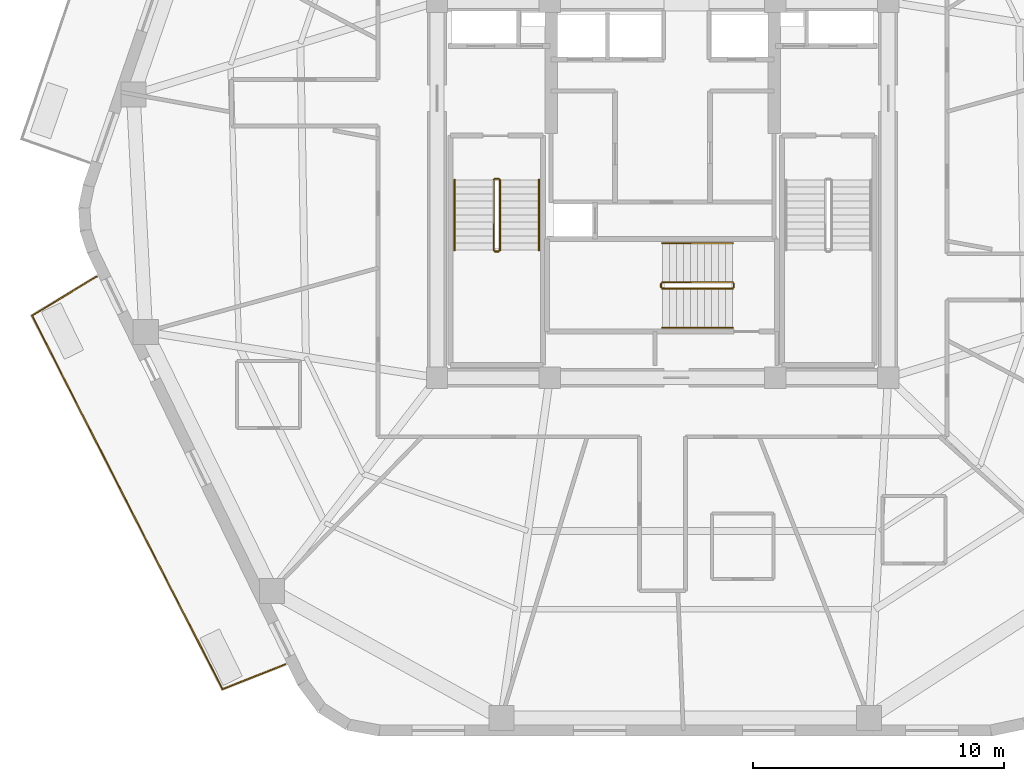
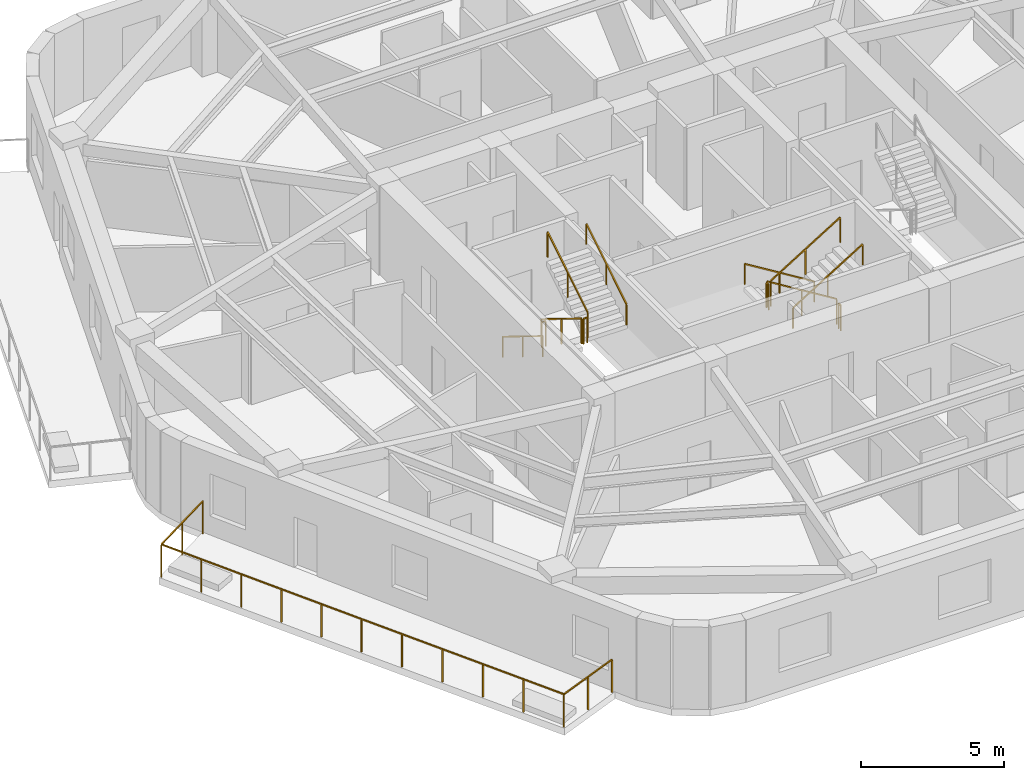
# One storey, part 7 of 9: 13 railings.
"""IFC4 building model written with IfcOpenShell, lengths in metres."""

from ifc_helpers import new_model, si_unit, direction, frame, origin, origin_2d, place, context, subcontext, project, spatial, rectangle, extrude, material, layer, layer_set, type_object, element, save


model = new_model("IFC4")

# Units and contexts
model_context = context("Model", 3, precision=1e-05, world=origin(), true_north=direction((0.0, 1.0)))
body_context = subcontext(model_context, "Body", "Model", "MODEL_VIEW")
ifc_project = project(units=[si_unit("LENGTHUNIT", "METRE"), si_unit("AREAUNIT", "SQUARE_METRE"), si_unit("VOLUMEUNIT", "CUBIC_METRE"), si_unit("PLANEANGLEUNIT", "RADIAN"), si_unit("MASSUNIT", "GRAM", prefix="KILO")], contexts=[model_context])

# Site, building, storey
site_placement = place(None, origin())
site = spatial("IfcSite", under=ifc_project, at=site_placement, CompositionType="ELEMENT")
building_placement = place(site_placement, origin())
building = spatial("IfcBuilding", under=site, at=building_placement, Name="Kilnhurst Terrace Hotel", CompositionType="ELEMENT")
storey_placement = place(building_placement, frame((0.0, 0.0, 240.699951171875)))
storey = spatial("IfcBuildingStorey", under=building, at=storey_placement, Name="L60", CompositionType="ELEMENT", Elevation=240.699951171875)

# Railings
ifc_material_1 = material(Name="Laminated SentryGlas and Stainless Steel AISI 316L Balustrade", Category="steel")
ifc_layer_1 = layer(ifc_material_1, 0.070068359375, Name="Laminated SentryGlas and Stainless Steel AISI 316L Balustrade")
ifc_layer_set_1 = layer_set([ifc_layer_1], Name="Laminated SentryGlas and Stainless Steel AISI 316L Balustrade")
railing_type_1 = type_object("IfcRailingType", Name="RLG-BAL-1420", PredefinedType="BALUSTRADE", material=ifc_layer_set_1)
railing_1_placement = place(storey_placement, frame((-15.0546875, -18.933349609375, 0.0)))
element("IfcRailing", 1, at=railing_1_placement, inside=storey, type_object=railing_type_1, Name="L60 Exterior Terrace Guardrail BAL-L2B.1", PredefinedType="BALUSTRADE", context=body_context, shape_type="SweptSolid", body=[
    extrude(rectangle(XDim=0.048095703125, YDim=0.048095703125, at=origin_2d()), frame((0.0, 0.0, 1.39599609375), z_axis=(-0.929913162101, -0.367779160574, 0.0), x_axis=(0.367779160574, -0.929913162101, 0.0)), (0.0, 0.0, 1.0), 2.694580078125),
    extrude(rectangle(XDim=0.048095703125, YDim=0.048095703125, at=origin_2d()), frame((-2.505615234375, -0.990966796875, 1.39599609375), z_axis=(-0.455129479154, 0.890425267614, 0.0), x_axis=(-0.890425267614, -0.455129479154, 0.0)), (0.0, 0.0, 1.0), 8.4072265625),
    extrude(rectangle(XDim=0.048095703125, YDim=0.048095703125, at=origin_2d()), frame((-6.33203125, 6.4951171875, 1.39599609375), z_axis=(-0.45338853952, 0.891312982196, 0.0), x_axis=(-0.891312982196, -0.45338853952, 0.0)), (0.0, 0.0, 1.0), 8.320068359375),
    extrude(rectangle(XDim=0.048095703125, YDim=0.048095703125, at=origin_2d()), frame((-10.104248046875, 13.910888671875, 1.39599609375), z_axis=(0.854990626614, 0.518643450168, 0.0), x_axis=(-0.518643450168, 0.854990626614, 0.0)), (0.0, 0.0, 1.0), 3.008056640625),
    extrude(rectangle(XDim=0.0419921875, YDim=0.0419921875, at=origin_2d()), origin(), (0.0, 0.0, 1.0), 1.371826171875),
    extrude(rectangle(XDim=0.0419921875, YDim=0.0419921875, at=origin_2d()), frame((-1.2529296875, -0.49560546875, 0.0)), (0.0, 0.0, 1.0), 1.371826171875),
    extrude(rectangle(XDim=0.0419921875, YDim=0.0419921875, at=origin_2d()), frame((-2.505615234375, -0.990966796875, 0.0)), (0.0, 0.0, 1.0), 1.371826171875),
    extrude(rectangle(XDim=0.0419921875, YDim=0.0419921875, at=origin_2d()), frame((-3.27099609375, 0.50634765625, 0.0)), (0.0, 0.0, 1.0), 1.371826171875),
    extrude(rectangle(XDim=0.0419921875, YDim=0.0419921875, at=origin_2d()), frame((-4.0361328125, 2.00341796875, 0.0)), (0.0, 0.0, 1.0), 1.371826171875),
    extrude(rectangle(XDim=0.0419921875, YDim=0.0419921875, at=origin_2d()), frame((-4.801513671875, 3.500732421875, 0.0)), (0.0, 0.0, 1.0), 1.371826171875),
    extrude(rectangle(XDim=0.0419921875, YDim=0.0419921875, at=origin_2d()), frame((-5.566650390625, 4.997802734375, 0.0)), (0.0, 0.0, 1.0), 1.371826171875),
    extrude(rectangle(XDim=0.0419921875, YDim=0.0419921875, at=origin_2d()), frame((-6.33203125, 6.4951171875, 0.0)), (0.0, 0.0, 1.0), 1.371826171875),
    extrude(rectangle(XDim=0.0419921875, YDim=0.0419921875, at=origin_2d()), frame((-7.08642578125, 7.978271484375, 0.0)), (0.0, 0.0, 1.0), 1.371826171875),
    extrude(rectangle(XDim=0.0419921875, YDim=0.0419921875, at=origin_2d()), frame((-7.8408203125, 9.46142578125, 0.0)), (0.0, 0.0, 1.0), 1.371826171875),
    extrude(rectangle(XDim=0.0419921875, YDim=0.0419921875, at=origin_2d()), frame((-8.595458984375, 10.944580078125, 0.0)), (0.0, 0.0, 1.0), 1.371826171875),
    extrude(rectangle(XDim=0.0419921875, YDim=0.0419921875, at=origin_2d()), frame((-9.349853515625, 12.427734375, 0.0)), (0.0, 0.0, 1.0), 1.371826171875),
    extrude(rectangle(XDim=0.0419921875, YDim=0.0419921875, at=origin_2d()), frame((-10.104248046875, 13.910888671875, 0.0)), (0.0, 0.0, 1.0), 1.371826171875),
    extrude(rectangle(XDim=0.0419921875, YDim=0.0419921875, at=origin_2d()), frame((-8.818359375, 14.69091796875, 0.0)), (0.0, 0.0, 1.0), 1.371826171875),
    extrude(rectangle(XDim=0.0419921875, YDim=0.0419921875, at=origin_2d()), frame((-7.532470703125, 15.470947265625, 0.0)), (0.0, 0.0, 1.0), 1.371826171875),
])
ifc_material_2 = material(Name="Powder-Coated Steel ASTM A500 Grade B", Category="steel")
ifc_layer_2 = layer(ifc_material_2, 0.050048828125, Name="Powder-Coated Steel ASTM A500 Grade B")
ifc_layer_set_2 = layer_set([ifc_layer_2], Name="Powder-Coated Steel ASTM A500 Grade B")
railing_type_2 = type_object("IfcRailingType", Name="RLG-ST-GRD-1100", PredefinedType="GUARDRAIL", material=ifc_layer_set_2)
railing_2_placement = place(storey_placement, frame((-6.739990234375, 0.389892578125, 0.1728515625)))
element("IfcRailing", 2, at=railing_2_placement, inside=storey, type_object=railing_type_2, Name="L60 ST-1 stair guard 1", PredefinedType="GUARDRAIL", context=body_context, shape_type="SweptSolid", body=[
    extrude(rectangle(XDim=0.048095703125, YDim=0.048095703125, at=origin_2d()), frame((0.0, 0.0, 1.076171875), z_axis=(0.0, -0.851069175582, 0.525053576669), x_axis=(1.0, 0.0, 0.0)), (0.0, 0.0, 1.0), 3.289794921875),
    extrude(rectangle(XDim=0.0419921875, YDim=0.0419921875, at=origin_2d()), origin(), (0.0, 0.0, 1.0), 1.052001953125),
    extrude(rectangle(XDim=0.0419921875, YDim=0.0419921875, at=origin_2d()), frame((0.0, -1.39990234375, 0.86376953125)), (0.0, 0.0, 1.0), 1.052001953125),
    extrude(rectangle(XDim=0.0419921875, YDim=0.0419921875, at=origin_2d()), frame((0.0, -2.7998046875, 1.727294921875)), (0.0, 0.0, 1.0), 1.052001953125),
])
railing_3_placement = place(storey_placement, frame((-6.68994140625, -2.4599609375, 1.900146484375)))
element("IfcRailing", 3, at=railing_3_placement, inside=storey, type_object=railing_type_2, Name="L60 ST-1 stair guard 2", PredefinedType="GUARDRAIL", context=body_context, shape_type="SweptSolid", body=[
    extrude(rectangle(XDim=0.048095703125, YDim=0.048095703125, at=origin_2d()), frame((0.0, 0.0, 1.076171875), z_axis=(1.0, 0.0, 0.0), x_axis=(0.0, 1.0, 0.0)), (0.0, 0.0, 1.0), 0.14990234375),
    extrude(rectangle(XDim=0.0419921875, YDim=0.0419921875, at=origin_2d()), origin(), (0.0, 0.0, 1.0), 1.052001953125),
    extrude(rectangle(XDim=0.0419921875, YDim=0.0419921875, at=origin_2d()), frame((0.14990234375, 0.0, 0.0)), (0.0, 0.0, 1.0), 1.052001953125),
])
railing_4_placement = place(storey_placement, frame((-6.489990234375, -2.409912109375, 2.07275390625)))
element("IfcRailing", 4, at=railing_4_placement, inside=storey, type_object=railing_type_2, Name="L60 ST-1 stair guard 3", PredefinedType="GUARDRAIL", context=body_context, shape_type="SweptSolid", body=[
    extrude(rectangle(XDim=0.048095703125, YDim=0.048095703125, at=origin_2d()), frame((0.0, 0.0, 1.076171875), z_axis=(0.0, 0.851069175582, 0.525053576669), x_axis=(-1.0, 0.0, 0.0)), (0.0, 0.0, 1.0), 3.289794921875),
    extrude(rectangle(XDim=0.0419921875, YDim=0.0419921875, at=origin_2d()), origin(), (0.0, 0.0, 1.0), 1.052001953125),
    extrude(rectangle(XDim=0.0419921875, YDim=0.0419921875, at=origin_2d()), frame((0.0, 1.39990234375, 0.86376953125)), (0.0, 0.0, 1.0), 1.052001953125),
    extrude(rectangle(XDim=0.0419921875, YDim=0.0419921875, at=origin_2d()), frame((0.0, 2.7998046875, 1.727294921875)), (0.0, 0.0, 1.0), 1.052001953125),
])
railing_5_placement = place(storey_placement, frame((-6.68994140625, 0.43994140625, 0.0)))
element("IfcRailing", 5, at=railing_5_placement, inside=storey, type_object=railing_type_2, Name="L60 ST-1 stair guard 4", PredefinedType="GUARDRAIL", context=body_context, shape_type="SweptSolid", body=[
    extrude(rectangle(XDim=0.048095703125, YDim=0.048095703125, at=origin_2d()), frame((0.0, 0.0, 1.076171875), z_axis=(1.0, 0.0, 0.0), x_axis=(0.0, 1.0, 0.0)), (0.0, 0.0, 1.0), 0.14990234375),
    extrude(rectangle(XDim=0.0419921875, YDim=0.0419921875, at=origin_2d()), origin(), (0.0, 0.0, 1.0), 1.052001953125),
    extrude(rectangle(XDim=0.0419921875, YDim=0.0419921875, at=origin_2d()), frame((0.14990234375, 0.0, 0.0)), (0.0, 0.0, 1.0), 1.052001953125),
])
railing_6_placement = place(storey_placement, frame((2.7900390625, -3.68994140625, 0.1728515625)))
element("IfcRailing", 6, at=railing_6_placement, inside=storey, type_object=railing_type_2, Name="L60 ST-3 stair guard 1", PredefinedType="GUARDRAIL", context=body_context, shape_type="SweptSolid", body=[
    extrude(rectangle(XDim=0.048095703125, YDim=0.048095703125, at=origin_2d()), frame((0.0, 0.0, 1.076171875), z_axis=(-0.851089632645, 0.0, 0.525020415988), x_axis=(0.0, -1.0, 0.0)), (0.0, 0.0, 1.0), 3.2900390625),
    extrude(rectangle(XDim=0.0419921875, YDim=0.0419921875, at=origin_2d()), origin(), (0.0, 0.0, 1.0), 1.052001953125),
    extrude(rectangle(XDim=0.0419921875, YDim=0.0419921875, at=origin_2d()), frame((-1.39990234375, 0.0, 0.86376953125)), (0.0, 0.0, 1.0), 1.052001953125),
    extrude(rectangle(XDim=0.0419921875, YDim=0.0419921875, at=origin_2d()), frame((-2.800048828125, 0.0, 1.727294921875)), (0.0, 0.0, 1.0), 1.052001953125),
])
railing_7_placement = place(storey_placement, frame((-0.06005859375, -3.739990234375, 1.900146484375)))
element("IfcRailing", 7, at=railing_7_placement, inside=storey, type_object=railing_type_2, Name="L60 ST-3 stair guard 2", PredefinedType="GUARDRAIL", context=body_context, shape_type="SweptSolid", body=[
    extrude(rectangle(XDim=0.048095703125, YDim=0.048095703125, at=origin_2d()), frame((0.0, 0.0, 1.076171875), z_axis=(0.0, -1.0, 0.0), x_axis=(1.0, 0.0, 0.0)), (0.0, 0.0, 1.0), 0.14990234375),
    extrude(rectangle(XDim=0.0419921875, YDim=0.0419921875, at=origin_2d()), origin(), (0.0, 0.0, 1.0), 1.052001953125),
    extrude(rectangle(XDim=0.0419921875, YDim=0.0419921875, at=origin_2d()), frame((0.0, -0.14990234375, 0.0)), (0.0, 0.0, 1.0), 1.052001953125),
])
railing_8_placement = place(storey_placement, frame((-0.010009765625, -3.93994140625, 2.07275390625)))
element("IfcRailing", 8, at=railing_8_placement, inside=storey, type_object=railing_type_2, Name="L60 ST-3 stair guard 3", PredefinedType="GUARDRAIL", context=body_context, shape_type="SweptSolid", body=[
    extrude(rectangle(XDim=0.048095703125, YDim=0.048095703125, at=origin_2d()), frame((0.0, 0.0, 1.076171875), z_axis=(0.851089632645, 0.0, 0.525020415988), x_axis=(0.0, 1.0, 0.0)), (0.0, 0.0, 1.0), 3.2900390625),
    extrude(rectangle(XDim=0.0419921875, YDim=0.0419921875, at=origin_2d()), origin(), (0.0, 0.0, 1.0), 1.052001953125),
    extrude(rectangle(XDim=0.0419921875, YDim=0.0419921875, at=origin_2d()), frame((1.39990234375, 0.0, 0.86376953125)), (0.0, 0.0, 1.0), 1.052001953125),
    extrude(rectangle(XDim=0.0419921875, YDim=0.0419921875, at=origin_2d()), frame((2.800048828125, 0.0, 1.727294921875)), (0.0, 0.0, 1.0), 1.052001953125),
])
railing_9_placement = place(storey_placement, frame((2.840087890625, -3.739990234375, 0.0)))
element("IfcRailing", 9, at=railing_9_placement, inside=storey, type_object=railing_type_2, Name="L60 ST-3 stair guard 4", PredefinedType="GUARDRAIL", context=body_context, shape_type="SweptSolid", body=[
    extrude(rectangle(XDim=0.048095703125, YDim=0.048095703125, at=origin_2d()), frame((0.0, 0.0, 1.076171875), z_axis=(0.0, -1.0, 0.0), x_axis=(1.0, 0.0, 0.0)), (0.0, 0.0, 1.0), 0.14990234375),
    extrude(rectangle(XDim=0.0419921875, YDim=0.0419921875, at=origin_2d()), origin(), (0.0, 0.0, 1.0), 1.052001953125),
    extrude(rectangle(XDim=0.0419921875, YDim=0.0419921875, at=origin_2d()), frame((0.0, -0.14990234375, 0.0)), (0.0, 0.0, 1.0), 1.052001953125),
])
ifc_material_3 = material(Name="Brushed Stainless Steel AISI 304", Category="steel")
ifc_layer_3 = layer(ifc_material_3, 0.048095703125, Name="Brushed Stainless Steel AISI 304")
ifc_layer_set_3 = layer_set([ifc_layer_3], Name="Brushed Stainless Steel AISI 304")
railing_type_3 = type_object("IfcRailingType", Name="RLG-ST-HRL-900", PredefinedType="HANDRAIL", material=ifc_layer_set_3)
railing_10_placement = place(storey_placement, frame((-8.300048828125, 0.389892578125, 0.1728515625)))
element("IfcRailing", 10, at=railing_10_placement, inside=storey, type_object=railing_type_3, Name="L60 ST-1 stair handrail 1", PredefinedType="HANDRAIL", context=body_context, shape_type="SweptSolid", body=[
    extrude(rectangle(XDim=0.048095703125, YDim=0.048095703125, at=origin_2d()), frame((0.0, 0.0, 0.8759765625), z_axis=(0.0, -0.851069175582, 0.525053576669), x_axis=(1.0, 0.0, 0.0)), (0.0, 0.0, 1.0), 3.289794921875),
    extrude(rectangle(XDim=0.0419921875, YDim=0.0419921875, at=origin_2d()), origin(), (0.0, 0.0, 1.0), 0.851806640625),
    extrude(rectangle(XDim=0.0419921875, YDim=0.0419921875, at=origin_2d()), frame((0.0, -1.39990234375, 0.86376953125)), (0.0, 0.0, 1.0), 0.851806640625),
    extrude(rectangle(XDim=0.0419921875, YDim=0.0419921875, at=origin_2d()), frame((0.0, -2.7998046875, 1.727294921875)), (0.0, 0.0, 1.0), 0.851806640625),
])
railing_11_placement = place(storey_placement, frame((-4.929931640625, -2.409912109375, 2.07275390625)))
element("IfcRailing", 11, at=railing_11_placement, inside=storey, type_object=railing_type_3, Name="L60 ST-1 stair handrail 2", PredefinedType="HANDRAIL", context=body_context, shape_type="SweptSolid", body=[
    extrude(rectangle(XDim=0.048095703125, YDim=0.048095703125, at=origin_2d()), frame((0.0, 0.0, 0.8759765625), z_axis=(0.0, 0.851069175582, 0.525053576669), x_axis=(-1.0, 0.0, 0.0)), (0.0, 0.0, 1.0), 3.289794921875),
    extrude(rectangle(XDim=0.0419921875, YDim=0.0419921875, at=origin_2d()), origin(), (0.0, 0.0, 1.0), 0.851806640625),
    extrude(rectangle(XDim=0.0419921875, YDim=0.0419921875, at=origin_2d()), frame((0.0, 1.39990234375, 0.86376953125)), (0.0, 0.0, 1.0), 0.851806640625),
    extrude(rectangle(XDim=0.0419921875, YDim=0.0419921875, at=origin_2d()), frame((0.0, 2.7998046875, 1.727294921875)), (0.0, 0.0, 1.0), 0.851806640625),
])
railing_12_placement = place(storey_placement, frame((2.7900390625, -2.1298828125, 0.1728515625)))
element("IfcRailing", 12, at=railing_12_placement, inside=storey, type_object=railing_type_3, Name="L60 ST-3 stair handrail 1", PredefinedType="HANDRAIL", context=body_context, shape_type="SweptSolid", body=[
    extrude(rectangle(XDim=0.048095703125, YDim=0.048095703125, at=origin_2d()), frame((0.0, 0.0, 0.8759765625), z_axis=(-0.851089632645, 0.0, 0.525020415988), x_axis=(0.0, -1.0, 0.0)), (0.0, 0.0, 1.0), 3.2900390625),
    extrude(rectangle(XDim=0.0419921875, YDim=0.0419921875, at=origin_2d()), origin(), (0.0, 0.0, 1.0), 0.851806640625),
    extrude(rectangle(XDim=0.0419921875, YDim=0.0419921875, at=origin_2d()), frame((-1.39990234375, 0.0, 0.86376953125)), (0.0, 0.0, 1.0), 0.851806640625),
    extrude(rectangle(XDim=0.0419921875, YDim=0.0419921875, at=origin_2d()), frame((-2.800048828125, 0.0, 1.727294921875)), (0.0, 0.0, 1.0), 0.851806640625),
])
railing_13_placement = place(storey_placement, frame((-0.010009765625, -5.5, 2.07275390625)))
element("IfcRailing", 13, at=railing_13_placement, inside=storey, type_object=railing_type_3, Name="L60 ST-3 stair handrail 2", PredefinedType="HANDRAIL", context=body_context, shape_type="SweptSolid", body=[
    extrude(rectangle(XDim=0.048095703125, YDim=0.048095703125, at=origin_2d()), frame((0.0, 0.0, 0.8759765625), z_axis=(0.851089632645, 0.0, 0.525020415988), x_axis=(0.0, 1.0, 0.0)), (0.0, 0.0, 1.0), 3.2900390625),
    extrude(rectangle(XDim=0.0419921875, YDim=0.0419921875, at=origin_2d()), origin(), (0.0, 0.0, 1.0), 0.851806640625),
    extrude(rectangle(XDim=0.0419921875, YDim=0.0419921875, at=origin_2d()), frame((1.39990234375, 0.0, 0.86376953125)), (0.0, 0.0, 1.0), 0.851806640625),
    extrude(rectangle(XDim=0.0419921875, YDim=0.0419921875, at=origin_2d()), frame((2.800048828125, 0.0, 1.727294921875)), (0.0, 0.0, 1.0), 0.851806640625),
])

save(model, "model.ifc")
